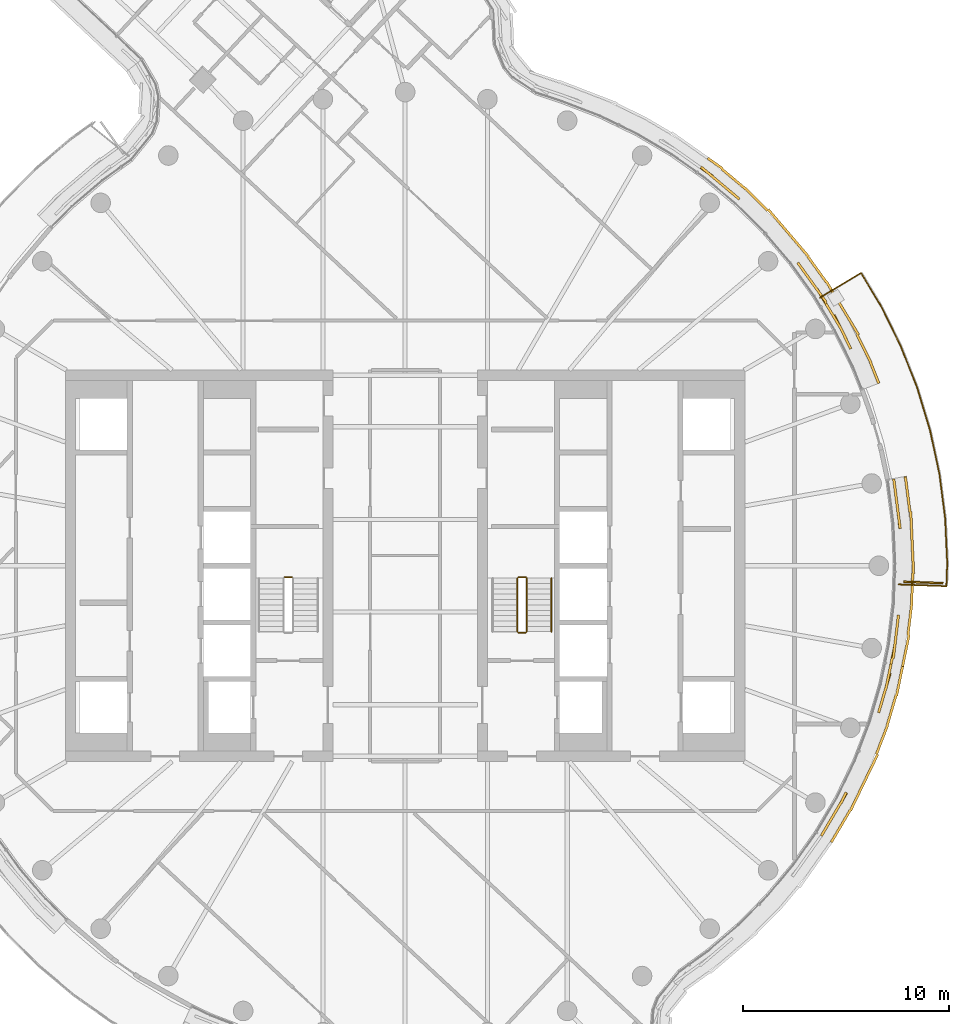
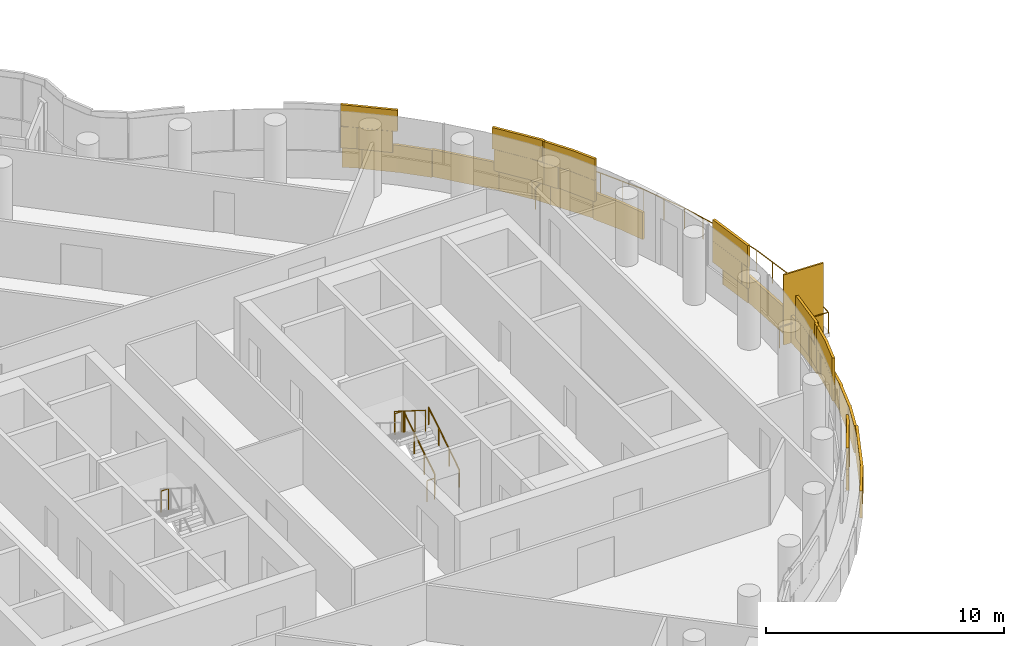
# One storey, part 27 of 30: 7 railings, 4 coverings, 1 shading device.
"""IFC4 building model written with IfcOpenShell, lengths in metres."""

from ifc_helpers import new_model, si_unit, direction, frame, origin, origin_2d, place, context, subcontext, project, spatial, rectangle, circle, extrude, material, layer, layer_set, type_object, element, save


model = new_model("IFC4")

# Units and contexts
model_context = context("Model", 3, precision=1e-05, world=origin(), true_north=direction((0.0, 1.0)))
body_context = subcontext(model_context, "Body", "Model", "MODEL_VIEW")
ifc_project = project(units=[si_unit("LENGTHUNIT", "METRE"), si_unit("AREAUNIT", "SQUARE_METRE"), si_unit("VOLUMEUNIT", "CUBIC_METRE"), si_unit("PLANEANGLEUNIT", "RADIAN"), si_unit("MASSUNIT", "GRAM", prefix="KILO")], contexts=[model_context])

# Site, building, storey
site_placement = place(None, origin())
site = spatial("IfcSite", under=ifc_project, at=site_placement, CompositionType="ELEMENT")
building_placement = place(site_placement, origin())
building = spatial("IfcBuilding", under=site, at=building_placement, Name="Tamarind Cross Interchange Tower", CompositionType="ELEMENT")
storey_placement = place(building_placement, frame((0.0, 0.0, 204.10009765625)))
storey = spatial("IfcBuildingStorey", under=building, at=storey_placement, Name="L51", CompositionType="ELEMENT", Elevation=204.10009765625)

# Railing
ifc_material_1 = material(Name="Stainless steel and laminated glass", Category="steel")
railing_type_1 = type_object("IfcRailingType", Name="Balcony guard", PredefinedType="BALUSTRADE", material=ifc_material_1)
railing_1_placement = place(storey_placement, frame((23.958251953125, -0.905029296875, 0.0)))
element("IfcRailing", 1, at=railing_1_placement, inside=storey, type_object=railing_type_1, Name="Balcony guard 06", PredefinedType="BALUSTRADE", context=body_context, shape_type="SweptSolid", body=[
    extrude(circle(Radius=0.02490234375, at=origin_2d()), frame((0.0, 0.0, 1.0751953125), z_axis=(0.999313824397, -0.037038903463, 0.0), x_axis=(0.037038903463, 0.999313824397, 0.0)), (0.0, 0.0, 1.0), 2.3203125),
    extrude(circle(Radius=0.02490234375, at=origin_2d()), frame((2.318603515625, -0.0859375, 1.0751953125), z_axis=(0.036897254867, 0.999319064455, 0.0), x_axis=(-0.999319064455, 0.036897254867, 0.0)), (0.0, 0.0, 1.0), 1.10498046875),
    extrude(circle(Radius=0.02490234375, at=origin_2d()), frame((2.359375, 1.018310546875, 1.0751953125), z_axis=(-0.045570585979, 0.998961121212, 0.0), x_axis=(-0.998961121212, -0.045570585979, 0.0)), (0.0, 0.0, 1.0), 2.175048828125),
    extrude(circle(Radius=0.02490234375, at=origin_2d()), frame((2.26025390625, 3.191162109375, 1.0751953125), z_axis=(-0.127957091824, 0.991779704699, 0.0), x_axis=(-0.991779704699, -0.127957091824, 0.0)), (0.0, 0.0, 1.0), 2.175048828125),
    extrude(circle(Radius=0.02490234375, at=origin_2d()), frame((1.98193359375, 5.348388671875, 1.0751953125), z_axis=(-0.209437106955, 0.977822119933, 0.0), x_axis=(-0.977822119933, -0.209437106955, 0.0)), (0.0, 0.0, 1.0), 2.17529296875),
    extrude(circle(Radius=0.02490234375, at=origin_2d()), frame((1.5263671875, 7.475341796875, 1.0751953125), z_axis=(-0.289468424656, 0.957187563191, 0.0), x_axis=(-0.957187563191, -0.289468424656, 0.0)), (0.0, 0.0, 1.0), 2.175048828125),
    extrude(circle(Radius=0.02490234375, at=origin_2d()), frame((0.896728515625, 9.557373046875, 1.0751953125), z_axis=(-0.367439931593, 0.930047255074, 0.0), x_axis=(-0.930047255074, -0.367439931593, 0.0)), (0.0, 0.0, 1.0), 2.17529296875),
    extrude(circle(Radius=0.02490234375, at=origin_2d()), frame((0.097412109375, 11.58056640625, 1.0751953125), z_axis=(-0.443123395184, 0.896460627491, 0.0), x_axis=(-0.896460627491, -0.443123395184, 0.0)), (0.0, 0.0, 1.0), 2.175048828125),
    extrude(circle(Radius=0.02490234375, at=origin_2d()), frame((-0.866455078125, 13.530517578125, 1.0751953125), z_axis=(-0.515540293405, 0.856865337073, 0.0), x_axis=(-0.856865337073, -0.515540293405, 0.0)), (0.0, 0.0, 1.0), 1.85546875),
    extrude(circle(Radius=0.02490234375, at=origin_2d()), frame((-1.822998046875, 15.120361328125, 1.0751953125), z_axis=(-0.856879513456, -0.515516730495, 0.0), x_axis=(0.515516730495, -0.856879513456, 0.0)), (0.0, 0.0, 1.0), 2.320068359375),
    extrude(circle(Radius=0.02001953125, at=origin_2d()), origin(), (0.0, 0.0, 1.0), 1.050048828125),
    extrude(circle(Radius=0.02001953125, at=origin_2d()), frame((1.1591796875, -0.04296875, 0.0)), (0.0, 0.0, 1.0), 1.050048828125),
    extrude(circle(Radius=0.02001953125, at=origin_2d()), frame((2.318603515625, -0.0859375, 0.0)), (0.0, 0.0, 1.0), 1.050048828125),
    extrude(circle(Radius=0.02001953125, at=origin_2d()), frame((2.359375, 1.018310546875, 0.0)), (0.0, 0.0, 1.0), 1.050048828125),
    extrude(circle(Radius=0.02001953125, at=origin_2d()), frame((2.309814453125, 2.104736328125, 0.0)), (0.0, 0.0, 1.0), 1.050048828125),
    extrude(circle(Radius=0.02001953125, at=origin_2d()), frame((2.26025390625, 3.191162109375, 0.0)), (0.0, 0.0, 1.0), 1.050048828125),
    extrude(circle(Radius=0.02001953125, at=origin_2d()), frame((2.12109375, 4.269775390625, 0.0)), (0.0, 0.0, 1.0), 1.050048828125),
    extrude(circle(Radius=0.02001953125, at=origin_2d()), frame((1.98193359375, 5.348388671875, 0.0)), (0.0, 0.0, 1.0), 1.050048828125),
    extrude(circle(Radius=0.02001953125, at=origin_2d()), frame((1.754150390625, 6.411865234375, 0.0)), (0.0, 0.0, 1.0), 1.050048828125),
    extrude(circle(Radius=0.02001953125, at=origin_2d()), frame((1.5263671875, 7.475341796875, 0.0)), (0.0, 0.0, 1.0), 1.050048828125),
    extrude(circle(Radius=0.02001953125, at=origin_2d()), frame((1.21142578125, 8.516357421875, 0.0)), (0.0, 0.0, 1.0), 1.050048828125),
    extrude(circle(Radius=0.02001953125, at=origin_2d()), frame((0.896728515625, 9.557373046875, 0.0)), (0.0, 0.0, 1.0), 1.050048828125),
    extrude(circle(Radius=0.02001953125, at=origin_2d()), frame((0.4970703125, 10.56884765625, 0.0)), (0.0, 0.0, 1.0), 1.050048828125),
    extrude(circle(Radius=0.02001953125, at=origin_2d()), frame((0.097412109375, 11.58056640625, 0.0)), (0.0, 0.0, 1.0), 1.050048828125),
    extrude(circle(Radius=0.02001953125, at=origin_2d()), frame((-0.384521484375, 12.5556640625, 0.0)), (0.0, 0.0, 1.0), 1.050048828125),
    extrude(circle(Radius=0.02001953125, at=origin_2d()), frame((-0.866455078125, 13.530517578125, 0.0)), (0.0, 0.0, 1.0), 1.050048828125),
    extrude(circle(Radius=0.02001953125, at=origin_2d()), frame((-1.3447265625, 14.325439453125, 0.0)), (0.0, 0.0, 1.0), 1.050048828125),
    extrude(circle(Radius=0.02001953125, at=origin_2d()), frame((-1.822998046875, 15.120361328125, 0.0)), (0.0, 0.0, 1.0), 1.050048828125),
    extrude(circle(Radius=0.02001953125, at=origin_2d()), frame((-2.81689453125, 14.5224609375, 0.0)), (0.0, 0.0, 1.0), 1.050048828125),
    extrude(circle(Radius=0.02001953125, at=origin_2d()), frame((-3.81103515625, 13.92431640625, 0.0)), (0.0, 0.0, 1.0), 1.050048828125),
])

# Shading device
ifc_material_2 = material(Name="Bronze-finish aluminium louvre", Category="aluminium")
ifc_layer_1 = layer(ifc_material_2, 0.080078125)
ifc_layer_set_1 = layer_set([ifc_layer_1], Name="Bronze-finish aluminium louvre")
shading_device_type = type_object("IfcShadingDeviceType", Name="Operable louvre bay", PredefinedType="JALOUSIE", material=ifc_layer_set_1)
shading_device_placement = place(storey_placement, origin())
element("IfcShadingDevice", 2, at=shading_device_placement, inside=storey, type_object=shading_device_type, Name="LVR-L51-BAL06", PredefinedType="JALOUSIE", context=body_context, shape_type="SweptSolid", body=[
    extrude(rectangle(XDim=1.89990234375, YDim=0.080078125, at=origin_2d()), frame((25.162841796875, -0.8095703125, -0.000244140625), z_axis=(0.0, 0.0, 1.0), x_axis=(0.999314350871, -0.037024696392, 0.0)), (0.0, 0.0, 1.0), 3.60009765625),
])

# Railings
ifc_material_3 = material(Name="Stair guard")
railing_type_2 = type_object("IfcRailingType", Name="Stair guard", PredefinedType="GUARDRAIL", material=ifc_material_3)
railing_2_placement = place(storey_placement, frame((-5.5, -0.550048828125, 1.7998046875)))
element("IfcRailing", 3, at=railing_2_placement, inside=storey, type_object=railing_type_2, Name="L51 ST1 stair guard 2", PredefinedType="GUARDRAIL", context=body_context, shape_type="SweptSolid", body=[
    extrude(circle(Radius=0.02392578125, at=origin_2d()), frame((0.0, 0.0, 1.076171875), z_axis=(-1.0, 0.0, 0.0), x_axis=(0.0, -1.0, 0.0)), (0.0, 0.0, 1.0), 0.35009765625),
    extrude(circle(Radius=0.02099609375, at=origin_2d()), origin(), (0.0, 0.0, 1.0), 1.052001953125),
    extrude(circle(Radius=0.02099609375, at=origin_2d()), frame((-0.35009765625, 0.0, 0.0)), (0.0, 0.0, 1.0), 1.052001953125),
])
railing_3_placement = place(storey_placement, frame((5.89990234375, -3.199951171875, 0.16357421875)))
element("IfcRailing", 4, at=railing_3_placement, inside=storey, type_object=railing_type_2, Name="L51 ST2 stair guard 1", PredefinedType="GUARDRAIL", context=body_context, shape_type="SweptSolid", body=[
    extrude(circle(Radius=0.02392578125, at=origin_2d()), frame((0.0, 0.0, 1.076171875), z_axis=(0.0, 0.846337672412, 0.532646734952), x_axis=(-1.0, 0.0, 0.0)), (0.0, 0.0, 1.0), 3.07177734375),
    extrude(circle(Radius=0.02099609375, at=origin_2d()), origin(), (0.0, 0.0, 1.0), 1.052001953125),
    extrude(circle(Radius=0.02099609375, at=origin_2d()), frame((0.0, 0.86669921875, 0.54541015625)), (0.0, 0.0, 1.0), 1.052001953125),
    extrude(circle(Radius=0.02099609375, at=origin_2d()), frame((0.0, 1.733154296875, 1.0908203125)), (0.0, 0.0, 1.0), 1.052001953125),
    extrude(circle(Radius=0.02099609375, at=origin_2d()), frame((0.0, 2.599853515625, 1.63623046875)), (0.0, 0.0, 1.0), 1.052001953125),
])
railing_4_placement = place(storey_placement, frame((5.85009765625, -0.550048828125, 1.7998046875)))
element("IfcRailing", 5, at=railing_4_placement, inside=storey, type_object=railing_type_2, Name="L51 ST2 stair guard 2", PredefinedType="GUARDRAIL", context=body_context, shape_type="SweptSolid", body=[
    extrude(circle(Radius=0.02392578125, at=origin_2d()), frame((0.0, 0.0, 1.076171875), z_axis=(-1.0, 0.0, 0.0), x_axis=(0.0, -1.0, 0.0)), (0.0, 0.0, 1.0), 0.35009765625),
    extrude(circle(Radius=0.02099609375, at=origin_2d()), origin(), (0.0, 0.0, 1.0), 1.052001953125),
    extrude(circle(Radius=0.02099609375, at=origin_2d()), frame((-0.35009765625, 0.0, 0.0)), (0.0, 0.0, 1.0), 1.052001953125),
])
railing_5_placement = place(storey_placement, frame((5.449951171875, -0.60009765625, 1.963623046875)))
element("IfcRailing", 6, at=railing_5_placement, inside=storey, type_object=railing_type_2, Name="L51 ST2 stair guard 3", PredefinedType="GUARDRAIL", context=body_context, shape_type="SweptSolid", body=[
    extrude(circle(Radius=0.02392578125, at=origin_2d()), frame((0.0, 0.0, 1.076171875), z_axis=(0.0, -0.846337672412, 0.532646734952), x_axis=(1.0, 0.0, 0.0)), (0.0, 0.0, 1.0), 3.07177734375),
    extrude(circle(Radius=0.02099609375, at=origin_2d()), origin(), (0.0, 0.0, 1.0), 1.052001953125),
    extrude(circle(Radius=0.02099609375, at=origin_2d()), frame((0.0, -0.86669921875, 0.54541015625)), (0.0, 0.0, 1.0), 1.052001953125),
    extrude(circle(Radius=0.02099609375, at=origin_2d()), frame((0.0, -1.733154296875, 1.0908203125)), (0.0, 0.0, 1.0), 1.052001953125),
    extrude(circle(Radius=0.02099609375, at=origin_2d()), frame((0.0, -2.599853515625, 1.63623046875)), (0.0, 0.0, 1.0), 1.052001953125),
])
railing_6_placement = place(storey_placement, frame((5.85009765625, -3.25, 0.0)))
element("IfcRailing", 7, at=railing_6_placement, inside=storey, type_object=railing_type_2, Name="L51 ST2 stair guard 4", PredefinedType="GUARDRAIL", context=body_context, shape_type="SweptSolid", body=[
    extrude(circle(Radius=0.02392578125, at=origin_2d()), frame((0.0, 0.0, 1.076171875), z_axis=(-1.0, 0.0, 0.0), x_axis=(0.0, -1.0, 0.0)), (0.0, 0.0, 1.0), 0.35009765625),
    extrude(circle(Radius=0.02099609375, at=origin_2d()), origin(), (0.0, 0.0, 1.0), 1.052001953125),
    extrude(circle(Radius=0.02099609375, at=origin_2d()), frame((-0.35009765625, 0.0, 0.0)), (0.0, 0.0, 1.0), 1.052001953125),
])
ifc_material_4 = material(Name="Stair handrail")
railing_type_3 = type_object("IfcRailingType", Name="Stair handrail", PredefinedType="HANDRAIL", material=ifc_material_4)
railing_7_placement = place(storey_placement, frame((7.10009765625, -3.199951171875, 0.16357421875)))
element("IfcRailing", 8, at=railing_7_placement, inside=storey, type_object=railing_type_3, Name="L51 ST2 stair handrail 1", PredefinedType="HANDRAIL", context=body_context, shape_type="SweptSolid", body=[
    extrude(circle(Radius=0.02392578125, at=origin_2d()), frame((0.0, 0.0, 0.8759765625), z_axis=(0.0, 0.846337672412, 0.532646734952), x_axis=(-1.0, 0.0, 0.0)), (0.0, 0.0, 1.0), 3.07177734375),
    extrude(circle(Radius=0.02099609375, at=origin_2d()), origin(), (0.0, 0.0, 1.0), 0.851806640625),
    extrude(circle(Radius=0.02099609375, at=origin_2d()), frame((0.0, 0.86669921875, 0.54541015625)), (0.0, 0.0, 1.0), 0.851806640625),
    extrude(circle(Radius=0.02099609375, at=origin_2d()), frame((0.0, 1.733154296875, 1.0908203125)), (0.0, 0.0, 1.0), 0.851806640625),
    extrude(circle(Radius=0.02099609375, at=origin_2d()), frame((0.0, 2.599853515625, 1.63623046875)), (0.0, 0.0, 1.0), 0.851806640625),
])

# Coverings
ifc_material_5 = material(Name="Terracotta", Category="masonry")
ifc_layer_2 = layer(ifc_material_5, 0.1201171875)
ifc_layer_set_2 = layer_set([ifc_layer_2], Name="Terracotta")
covering_type = type_object("IfcCoveringType", Name="Terracotta baguette screen unit", PredefinedType="MOLDING", material=ifc_layer_set_2)
covering_1_placement = place(storey_placement, origin())
element("IfcCovering", 9, at=covering_1_placement, inside=storey, type_object=covering_type, Name="SCR-L51-06-01", PredefinedType="MOLDING", context=body_context, shape_type="SweptSolid", body=[
    extrude(rectangle(XDim=1.10498046875, YDim=0.1201171875, at=origin_2d()), frame((20.4853515625, -12.637939453125, 1.40380859375), z_axis=(0.0, 0.0, 1.0), x_axis=(0.508183308752, 0.861248933065, 0.0)), (0.0, 0.0, 1.0), 1.092041015625),
    extrude(rectangle(XDim=1.33642578125, YDim=0.1201171875, at=origin_2d()), frame((21.1005859375, -11.59521484375, 1.40380859375), z_axis=(0.0, 0.0, 1.0), x_axis=(0.508183308752, 0.861248933065, 0.0)), (0.0, 0.0, 1.0), 1.092041015625),
    extrude(rectangle(XDim=0.4833984375, YDim=0.1201171875, at=origin_2d()), frame((23.05615234375, -6.8974609375, 1.40380859375), z_axis=(0.0, 0.0, 1.0), x_axis=(0.281208920763, 0.95964657186, 0.0)), (0.0, 0.0, 1.0), 1.092041015625),
    extrude(rectangle(XDim=1.52001953125, YDim=0.1201171875, at=origin_2d()), frame((23.333740234375, -5.95068359375, 1.40380859375), z_axis=(0.0, 0.0, 1.0), x_axis=(0.281208920763, 0.95964657186, 0.0)), (0.0, 0.0, 1.0), 1.092041015625),
    extrude(rectangle(XDim=0.4580078125, YDim=0.1201171875, at=origin_2d()), frame((23.541015625, -4.99951171875, 1.40380859375), z_axis=(0.0, 0.0, 1.0), x_axis=(0.201001463943, 0.9795909409, 0.0)), (0.0, 0.0, 1.0), 1.092041015625),
    extrude(rectangle(XDim=0.35498046875, YDim=0.1201171875, at=origin_2d()), frame((20.294921875, -12.9609375, 2.50390625), z_axis=(0.0, 0.0, 1.0), x_axis=(0.508183308752, 0.861248933065, 0.0)), (0.0, 0.0, 1.0), 1.092041015625),
    extrude(rectangle(XDim=1.52001953125, YDim=0.1201171875, at=origin_2d()), frame((20.763671875, -12.16650390625, 2.50390625), z_axis=(0.0, 0.0, 1.0), x_axis=(0.508183308752, 0.861248933065, 0.0)), (0.0, 0.0, 1.0), 1.092041015625),
    extrude(rectangle(XDim=0.58642578125, YDim=0.1201171875, at=origin_2d()), frame((21.28271484375, -11.267822265625, 2.50390625), z_axis=(0.0, 0.0, 1.0), x_axis=(0.435326231914, 0.900272776334, 0.0)), (0.0, 0.0, 1.0), 1.092041015625),
    extrude(rectangle(XDim=1.2333984375, YDim=0.1201171875, at=origin_2d()), frame((23.16162109375, -6.53759765625, 2.50390625), z_axis=(0.0, 0.0, 1.0), x_axis=(0.281208920763, 0.95964657186, 0.0)), (0.0, 0.0, 1.0), 1.092041015625),
    extrude(rectangle(XDim=1.2080078125, YDim=0.1201171875, at=origin_2d()), frame((23.465576171875, -5.36669921875, 2.50390625), z_axis=(0.0, 0.0, 1.0), x_axis=(0.201001463943, 0.9795909409, 0.0)), (0.0, 0.0, 1.0), 1.092041015625),
    extrude(rectangle(XDim=0.326904296875, YDim=0.1201171875, at=origin_2d()), frame((20.772216796875, -13.281494140625, 0.00390625), z_axis=(0.0, 0.0, 1.0), x_axis=(0.508183308752, 0.861248933065, 0.0)), (0.0, 0.0, 1.0), 1.39208984375),
    extrude(rectangle(XDim=1.52001953125, YDim=0.1201171875, at=origin_2d()), frame((21.2314453125, -12.503173828125, 0.00390625), z_axis=(0.0, 0.0, 1.0), x_axis=(0.508183308752, 0.861248933065, 0.0)), (0.0, 0.0, 1.0), 1.39208984375),
    extrude(rectangle(XDim=1.52001953125, YDim=0.1201171875, at=origin_2d()), frame((21.95703125, -11.19189453125, 0.00390625), z_axis=(0.0, 0.0, 1.0), x_axis=(0.435326231914, 0.900272776334, 0.0)), (0.0, 0.0, 1.0), 1.39208984375),
    extrude(rectangle(XDim=1.52001953125, YDim=0.1201171875, at=origin_2d()), frame((22.610107421875, -9.84130859375, 0.00390625), z_axis=(0.0, 0.0, 1.0), x_axis=(0.435326231914, 0.900272776334, 0.0)), (0.0, 0.0, 1.0), 1.39208984375),
    extrude(rectangle(XDim=1.52001953125, YDim=0.1201171875, at=origin_2d()), frame((23.152099609375, -8.44287109375, 0.00390625), z_axis=(0.0, 0.0, 1.0), x_axis=(0.359495435512, 0.933146843667, 0.0)), (0.0, 0.0, 1.0), 1.39208984375),
    extrude(rectangle(XDim=1.52001953125, YDim=0.1201171875, at=origin_2d()), frame((23.618896484375, -7.0185546875, 0.00390625), z_axis=(0.0, 0.0, 1.0), x_axis=(0.281208920763, 0.95964657186, 0.0)), (0.0, 0.0, 1.0), 1.39208984375),
    extrude(rectangle(XDim=1.451416015625, YDim=0.1201171875, at=origin_2d()), frame((24.002685546875, -5.60498046875, 0.00390625), z_axis=(0.0, 0.0, 1.0), x_axis=(0.201001463943, 0.9795909409, 0.0)), (0.0, 0.0, 1.0), 1.39208984375),
])
covering_2_placement = place(storey_placement, origin())
element("IfcCovering", 10, at=covering_2_placement, inside=storey, type_object=covering_type, Name="SCR-L51-06-02", PredefinedType="MOLDING", context=body_context, shape_type="SweptSolid", body=[
    extrude(rectangle(XDim=1.06201171875, YDim=0.1201171875, at=origin_2d()), frame((23.691650390625, -4.2646484375, 1.40380859375), z_axis=(0.0, 0.0, 1.0), x_axis=(0.201001463943, 0.9795909409, 0.0)), (0.0, 0.0, 1.0), 1.092041015625),
    extrude(rectangle(XDim=1.379150390625, YDim=0.1201171875, at=origin_2d()), frame((23.869873046875, -3.068115234375, 1.40380859375), z_axis=(0.0, 0.0, 1.0), x_axis=(0.119420963295, 0.992843710523, 0.0)), (0.0, 0.0, 1.0), 1.092041015625),
    extrude(rectangle(XDim=0.440673828125, YDim=0.1201171875, at=origin_2d()), frame((23.998291015625, 2.02001953125, 1.40380859375), z_axis=(0.0, 0.0, 1.0), x_axis=(-0.045624486728, 0.998958660912, 0.0)), (0.0, 0.0, 1.0), 1.092041015625),
    extrude(rectangle(XDim=1.52001953125, YDim=0.1201171875, at=origin_2d()), frame((23.880615234375, 2.97802734375, 1.40380859375), z_axis=(0.0, 0.0, 1.0), x_axis=(-0.127962008342, 0.991779070368, 0.0)), (0.0, 0.0, 1.0), 1.092041015625),
    extrude(rectangle(XDim=0.500732421875, YDim=0.1201171875, at=origin_2d()), frame((23.75341796875, 3.965087890625, 1.40380859375), z_axis=(0.0, 0.0, 1.0), x_axis=(-0.127962008342, 0.991779070368, 0.0)), (0.0, 0.0, 1.0), 1.092041015625),
    extrude(rectangle(XDim=0.31201171875, YDim=0.1201171875, at=origin_2d()), frame((23.616455078125, -4.632080078125, 2.50390625), z_axis=(0.0, 0.0, 1.0), x_axis=(0.201001463943, 0.9795909409, 0.0)), (0.0, 0.0, 1.0), 1.092041015625),
    extrude(rectangle(XDim=1.52001953125, YDim=0.1201171875, at=origin_2d()), frame((23.7880859375, -3.747802734375, 2.50390625), z_axis=(0.0, 0.0, 1.0), x_axis=(0.119420963295, 0.992843710523, 0.0)), (0.0, 0.0, 1.0), 1.092041015625),
    extrude(rectangle(XDim=0.629150390625, YDim=0.1201171875, at=origin_2d()), frame((23.91455078125, -2.69580078125, 2.50390625), z_axis=(0.0, 0.0, 1.0), x_axis=(0.119420963295, 0.992843710523, 0.0)), (0.0, 0.0, 1.0), 1.092041015625),
    extrude(rectangle(XDim=1.190673828125, YDim=0.1201171875, at=origin_2d()), frame((23.956298828125, 2.392333984375, 2.50390625), z_axis=(0.0, 0.0, 1.0), x_axis=(-0.127962008342, 0.991779070368, 0.0)), (0.0, 0.0, 1.0), 1.092041015625),
    extrude(rectangle(XDim=1.250732421875, YDim=0.1201171875, at=origin_2d()), frame((23.80126953125, 3.59326171875, 2.50390625), z_axis=(0.0, 0.0, 1.0), x_axis=(-0.127962008342, 0.991779070368, 0.0)), (0.0, 0.0, 1.0), 1.092041015625),
    extrude(rectangle(XDim=0.068603515625, YDim=0.1201171875, at=origin_2d()), frame((24.155517578125, -4.860595703125, 0.00390625), z_axis=(0.0, 0.0, 1.0), x_axis=(0.201001463943, 0.9795909409, 0.0)), (0.0, 0.0, 1.0), 1.39208984375),
    extrude(rectangle(XDim=1.52001953125, YDim=0.1201171875, at=origin_2d()), frame((24.31103515625, -4.10205078125, 0.00390625), z_axis=(0.0, 0.0, 1.0), x_axis=(0.201001463943, 0.9795909409, 0.0)), (0.0, 0.0, 1.0), 1.39208984375),
    extrude(rectangle(XDim=1.52001953125, YDim=0.1201171875, at=origin_2d()), frame((24.50244140625, -2.61474609375, 0.00390625), z_axis=(0.0, 0.0, 1.0), x_axis=(0.119420963295, 0.992843710523, 0.0)), (0.0, 0.0, 1.0), 1.39208984375),
    extrude(rectangle(XDim=1.52001953125, YDim=0.1201171875, at=origin_2d()), frame((24.61474609375, -1.120361328125, 0.00390625), z_axis=(0.0, 0.0, 1.0), x_axis=(0.037024696392, 0.999314350871, 0.0)), (0.0, 0.0, 1.0), 1.39208984375),
    extrude(rectangle(XDim=1.52001953125, YDim=0.1201171875, at=origin_2d()), frame((24.64794921875, 0.378662109375, 0.00390625), z_axis=(0.0, 0.0, 1.0), x_axis=(-0.045624486728, 0.998958660912, 0.0)), (0.0, 0.0, 1.0), 1.39208984375),
    extrude(rectangle(XDim=1.52001953125, YDim=0.1201171875, at=origin_2d()), frame((24.579345703125, 1.876953125, 0.00390625), z_axis=(0.0, 0.0, 1.0), x_axis=(-0.045624486728, 0.998958660912, 0.0)), (0.0, 0.0, 1.0), 1.39208984375),
    extrude(rectangle(XDim=1.52001953125, YDim=0.1201171875, at=origin_2d()), frame((24.409423828125, 3.36669921875, 0.00390625), z_axis=(0.0, 0.0, 1.0), x_axis=(-0.127962008342, 0.991779070368, 0.0)), (0.0, 0.0, 1.0), 1.39208984375),
    extrude(rectangle(XDim=0.2099609375, YDim=0.1201171875, at=origin_2d()), frame((24.2978515625, 4.2041015625, 0.00390625), z_axis=(0.0, 0.0, 1.0), x_axis=(-0.209425419705, 0.977824623121, 0.0)), (0.0, 0.0, 1.0), 1.39208984375),
])
covering_3_placement = place(storey_placement, origin())
element("IfcCovering", 11, at=covering_3_placement, inside=storey, type_object=covering_type, Name="SCR-L51-06-03", PredefinedType="MOLDING", context=body_context, shape_type="SweptSolid", body=[
    extrude(rectangle(XDim=0.32958984375, YDim=0.1201171875, at=origin_2d()), frame((21.5634765625, 10.684814453125, 1.40380859375), z_axis=(0.0, 0.0, 1.0), x_axis=(-0.443058811505, 0.896492548518, 0.0)), (0.0, 0.0, 1.0), 1.092041015625),
    extrude(rectangle(XDim=1.52001953125, YDim=0.1201171875, at=origin_2d()), frame((21.160400390625, 11.50048828125, 1.40380859375), z_axis=(0.0, 0.0, 1.0), x_axis=(-0.443058811505, 0.896492548518, 0.0)), (0.0, 0.0, 1.0), 1.092041015625),
    extrude(rectangle(XDim=0.680419921875, YDim=0.1201171875, at=origin_2d()), frame((20.605224609375, 12.4326171875, 1.40380859375), z_axis=(0.0, 0.0, 1.0), x_axis=(-0.515577308909, 0.856843065292, 0.0)), (0.0, 0.0, 1.0), 1.092041015625),
    extrude(rectangle(XDim=1.07958984375, YDim=0.1201171875, at=origin_2d()), frame((21.397216796875, 11.02099609375, 2.50390625), z_axis=(0.0, 0.0, 1.0), x_axis=(-0.443058811505, 0.896492548518, 0.0)), (0.0, 0.0, 1.0), 1.092041015625),
    extrude(rectangle(XDim=1.430419921875, YDim=0.1201171875, at=origin_2d()), frame((20.798583984375, 12.111328125, 2.50390625), z_axis=(0.0, 0.0, 1.0), x_axis=(-0.515577308909, 0.856843065292, 0.0)), (0.0, 0.0, 1.0), 1.092041015625),
    extrude(rectangle(XDim=0.03076171875, YDim=0.1201171875, at=origin_2d()), frame((24.272705078125, 4.32177734375, 0.00390625), z_axis=(0.0, 0.0, 1.0), x_axis=(-0.209425419705, 0.977824623121, 0.0)), (0.0, 0.0, 1.0), 1.39208984375),
    extrude(rectangle(XDim=1.07177734375, YDim=0.1201171875, at=origin_2d()), frame((22.795654296875, 9.357666015625, 0.00390625), z_axis=(0.0, 0.0, 1.0), x_axis=(-0.367513773146, 0.930018078613, 0.0)), (0.0, 0.0, 1.0), 1.39208984375),
    extrude(rectangle(XDim=1.52001953125, YDim=0.1201171875, at=origin_2d()), frame((22.28271484375, 10.524658203125, 0.00390625), z_axis=(0.0, 0.0, 1.0), x_axis=(-0.443058811505, 0.896492548518, 0.0)), (0.0, 0.0, 1.0), 1.39208984375),
    extrude(rectangle(XDim=1.52001953125, YDim=0.1201171875, at=origin_2d()), frame((21.614990234375, 11.86767578125, 0.00390625), z_axis=(0.0, 0.0, 1.0), x_axis=(-0.515577308909, 0.856843065292, 0.0)), (0.0, 0.0, 1.0), 1.39208984375),
    extrude(rectangle(XDim=0.608642578125, YDim=0.1201171875, at=origin_2d()), frame((21.07666015625, 12.762451171875, 0.00390625), z_axis=(0.0, 0.0, 1.0), x_axis=(-0.515577308909, 0.856843065292, 0.0)), (0.0, 0.0, 1.0), 1.39208984375),
])
covering_4_placement = place(storey_placement, origin())
element("IfcCovering", 12, at=covering_4_placement, inside=storey, type_object=covering_type, Name="SCR-L51-06-04", PredefinedType="MOLDING", context=body_context, shape_type="SweptSolid", body=[
    extrude(rectangle(XDim=0.839599609375, YDim=0.1201171875, at=origin_2d()), frame((20.218505859375, 13.0751953125, 1.40380859375), z_axis=(0.0, 0.0, 1.0), x_axis=(-0.515577308909, 0.856843065292, 0.0)), (0.0, 0.0, 1.0), 1.092041015625),
    extrude(rectangle(XDim=1.52001953125, YDim=0.1201171875, at=origin_2d()), frame((19.552490234375, 14.0302734375, 1.40380859375), z_axis=(0.0, 0.0, 1.0), x_axis=(-0.584573890505, 0.811340475102, 0.0)), (0.0, 0.0, 1.0), 1.092041015625),
    extrude(rectangle(XDim=1.52001953125, YDim=0.1201171875, at=origin_2d()), frame((15.48876953125, 18.418701171875, 1.40380859375), z_axis=(0.0, 0.0, 1.0), x_axis=(-0.765858396687, 0.643009266048, 0.0)), (0.0, 0.0, 1.0), 1.092041015625),
    extrude(rectangle(XDim=0.722900390625, YDim=0.1201171875, at=origin_2d()), frame((14.63671875, 19.1240234375, 1.40380859375), z_axis=(0.0, 0.0, 1.0), x_axis=(-0.816341886298, 0.577568978284, 0.0)), (0.0, 0.0, 1.0), 1.092041015625),
    extrude(rectangle(XDim=0.089599609375, YDim=0.1201171875, at=origin_2d()), frame((20.411865234375, 12.75390625, 2.50390625), z_axis=(0.0, 0.0, 1.0), x_axis=(-0.515577308909, 0.856843065292, 0.0)), (0.0, 0.0, 1.0), 1.092041015625),
    extrude(rectangle(XDim=1.52001953125, YDim=0.1201171875, at=origin_2d()), frame((19.990966796875, 13.421630859375, 2.50390625), z_axis=(0.0, 0.0, 1.0), x_axis=(-0.584573890505, 0.811340475102, 0.0)), (0.0, 0.0, 1.0), 1.092041015625),
    extrude(rectangle(XDim=0.8515625, YDim=0.1201171875, at=origin_2d()), frame((19.306640625, 14.37158203125, 2.50390625), z_axis=(0.0, 0.0, 1.0), x_axis=(-0.584573890505, 0.811340475102, 0.0)), (0.0, 0.0, 1.0), 1.092041015625),
    extrude(rectangle(XDim=0.968505859375, YDim=0.1201171875, at=origin_2d()), frame((15.855712890625, 18.110595703125, 2.50390625), z_axis=(0.0, 0.0, 1.0), x_axis=(-0.765858396687, 0.643009266048, 0.0)), (0.0, 0.0, 1.0), 1.092041015625),
    extrude(rectangle(XDim=1.472900390625, YDim=0.1201171875, at=origin_2d()), frame((14.928466796875, 18.888916015625, 2.50390625), z_axis=(0.0, 0.0, 1.0), x_axis=(-0.765858396687, 0.643009266048, 0.0)), (0.0, 0.0, 1.0), 1.092041015625),
    extrude(rectangle(XDim=0.911376953125, YDim=0.1201171875, at=origin_2d()), frame((20.684814453125, 13.413818359375, 0.00390625), z_axis=(0.0, 0.0, 1.0), x_axis=(-0.515577308909, 0.856843065292, 0.0)), (0.0, 0.0, 1.0), 1.39208984375),
    extrude(rectangle(XDim=1.52001953125, YDim=0.1201171875, at=origin_2d()), frame((19.9990234375, 14.392578125, 0.00390625), z_axis=(0.0, 0.0, 1.0), x_axis=(-0.584573890505, 0.811340475102, 0.0)), (0.0, 0.0, 1.0), 1.39208984375),
    extrude(rectangle(XDim=1.52001953125, YDim=0.1201171875, at=origin_2d()), frame((19.091796875, 15.585693359375, 0.00390625), z_axis=(0.0, 0.0, 1.0), x_axis=(-0.64957723968, 0.760295606781, 0.0)), (0.0, 0.0, 1.0), 1.39208984375),
    extrude(rectangle(XDim=1.52001953125, YDim=0.1201171875, at=origin_2d()), frame((18.117431640625, 16.72607421875, 0.00390625), z_axis=(0.0, 0.0, 1.0), x_axis=(-0.64957723968, 0.760295606781, 0.0)), (0.0, 0.0, 1.0), 1.39208984375),
    extrude(rectangle(XDim=1.52001953125, YDim=0.1201171875, at=origin_2d()), frame((17.056396484375, 17.7861328125, 0.00390625), z_axis=(0.0, 0.0, 1.0), x_axis=(-0.710143317658, 0.704057148523, 0.0)), (0.0, 0.0, 1.0), 1.39208984375),
    extrude(rectangle(XDim=1.52001953125, YDim=0.1201171875, at=origin_2d()), frame((15.941650390625, 18.787841796875, 0.00390625), z_axis=(0.0, 0.0, 1.0), x_axis=(-0.765858396687, 0.643009266048, 0.0)), (0.0, 0.0, 1.0), 1.39208984375),
    extrude(rectangle(XDim=0.86669921875, YDim=0.1201171875, at=origin_2d()), frame((15.041748046875, 19.540771484375, 0.00390625), z_axis=(0.0, 0.0, 1.0), x_axis=(-0.816341886298, 0.577568978284, 0.0)), (0.0, 0.0, 1.0), 1.39208984375),
])

save(model, "model.ifc")
